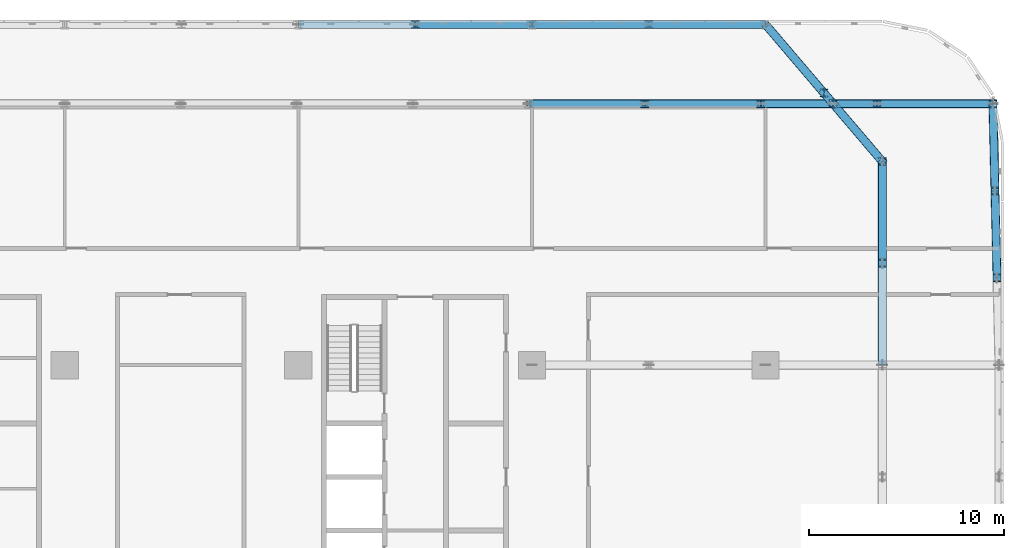
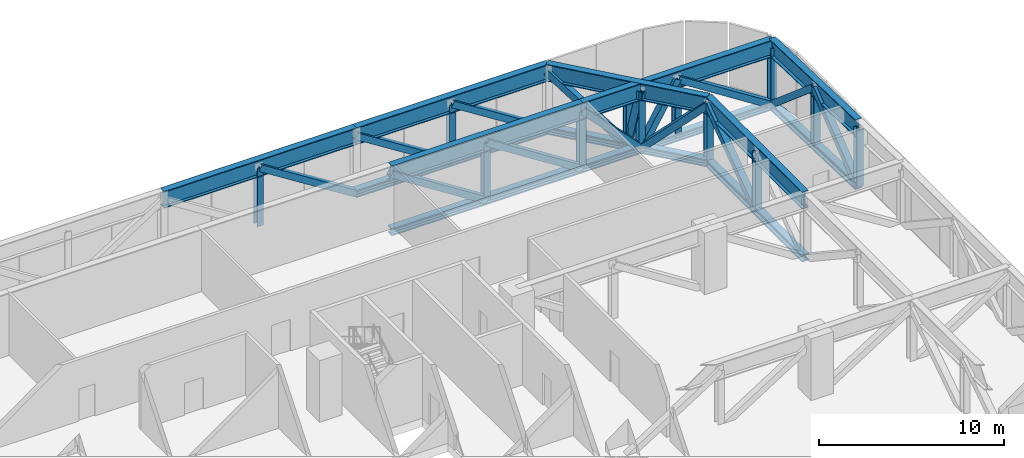
# One storey, part 7 of 26: 39 members.
"""IFC4 building model written with IfcOpenShell, lengths in metres."""

from ifc_helpers import new_model, si_unit, direction, frame, origin, origin_2d, place, context, subcontext, project, spatial, hollow_rectangle, i_section, extrude, material, material_profile, profile_set, type_object, element, save


model = new_model("IFC4")

# Units and contexts
model_context = context("Model", 3, precision=1e-05, world=origin(), true_north=direction((0.0, 1.0)))
body_context = subcontext(model_context, "Body", "Model", "MODEL_VIEW")
ifc_project = project(units=[si_unit("LENGTHUNIT", "METRE"), si_unit("AREAUNIT", "SQUARE_METRE"), si_unit("VOLUMEUNIT", "CUBIC_METRE"), si_unit("PLANEANGLEUNIT", "RADIAN"), si_unit("MASSUNIT", "GRAM", prefix="KILO")], contexts=[model_context])

# Site, building, storey
site_placement = place(None, origin())
site = spatial("IfcSite", under=ifc_project, at=site_placement, CompositionType="ELEMENT")
building_placement = place(site_placement, origin())
building = spatial("IfcBuilding", under=site, at=building_placement, Name="Mahtab Terrace Research Tower", CompositionType="ELEMENT")
storey_placement = place(building_placement, frame((0.0, 0.0, 117.60009765625)))
storey = spatial("IfcBuildingStorey", under=building, at=storey_placement, Name="L27", CompositionType="ELEMENT", Elevation=117.60009765625)

# Members
ifc_material_1 = material(Name="Steel ASTM A500 Gr C", Category="steel")
ifc_material_profile_1 = material_profile(ifc_material_1, hollow_rectangle(XDim=0.406494140625, YDim=0.406494140625, WallThickness=0.015869140625, at=origin_2d()), Name="HSS16X16X5/8")
ifc_profile_set_1 = profile_set([ifc_material_profile_1], Name="Steel ASTM A500 Gr C")
member_type_1 = type_object("IfcMemberType", Name="HSS 16x16x5/8 brace TD161658", PredefinedType="BRACE", material=ifc_profile_set_1)
member_1_placement = place(storey_placement, frame((35.801025390625, 24.927001953125, -0.308837890625), z_axis=(-0.842548339198, 0.0, 0.538620734947), x_axis=(0.0, -1.0, 0.0)))
element("IfcMember", 1, at=member_1_placement, inside=storey, type_object=member_type_1, Name="Transfer truss T3 diagonal 060", PredefinedType="BRACE", context=body_context, shape_type="SweptSolid", body=[
    extrude(hollow_rectangle(XDim=0.406494140625, YDim=0.406494140625, WallThickness=0.015869140625, at=origin_2d()), origin(), (0.0, 0.0, 1.0), 7.07373046875),
])
member_2_placement = place(storey_placement, frame((30.0, 29.0, -0.308837890625), z_axis=(-0.844178766056, 0.0, 0.536061760379), x_axis=(0.0, -1.0, 0.0)))
element("IfcMember", 2, at=member_2_placement, inside=storey, type_object=member_type_1, Name="Transfer truss T3 diagonal 065", PredefinedType="BRACE", context=body_context, shape_type="SweptSolid", body=[
    extrude(hollow_rectangle(XDim=0.406494140625, YDim=0.406494140625, WallThickness=0.015869140625, at=origin_2d()), origin(), (0.0, 0.0, 1.0), 7.107421875),
])
member_3_placement = place(storey_placement, frame((41.760986328125, 24.927001953125, -0.308837890625), z_axis=(-0.842548339198, 0.0, 0.538620734947), x_axis=(0.0, -1.0, 0.0)))
element("IfcMember", 3, at=member_3_placement, inside=storey, type_object=member_type_1, Name="Transfer truss T3 diagonal 066", PredefinedType="BRACE", context=body_context, shape_type="SweptSolid", body=[
    extrude(hollow_rectangle(XDim=0.406494140625, YDim=0.406494140625, WallThickness=0.015869140625, at=origin_2d()), origin(), (0.0, 0.0, 1.0), 7.07373046875),
])
member_4_placement = place(storey_placement, frame((36.0, 29.0, -0.308837890625), z_axis=(-0.844178766056, 0.0, 0.536061760379), x_axis=(0.0, -1.0, 0.0)))
element("IfcMember", 4, at=member_4_placement, inside=storey, type_object=member_type_1, Name="Transfer truss T3 diagonal 071", PredefinedType="BRACE", context=body_context, shape_type="SweptSolid", body=[
    extrude(hollow_rectangle(XDim=0.406494140625, YDim=0.406494140625, WallThickness=0.015869140625, at=origin_2d()), origin(), (0.0, 0.0, 1.0), 7.107421875),
])
member_5_placement = place(storey_placement, frame((45.471923828125, 24.927001953125, -0.308837890625), z_axis=(-0.697727051178, 0.0, 0.71636370794), x_axis=(0.0, -1.0, 0.0)))
element("IfcMember", 5, at=member_5_placement, inside=storey, type_object=member_type_1, Name="Transfer truss T3 diagonal 072", PredefinedType="BRACE", context=body_context, shape_type="SweptSolid", body=[
    extrude(hollow_rectangle(XDim=0.406494140625, YDim=0.406494140625, WallThickness=0.015869140625, at=origin_2d()), origin(), (0.0, 0.0, 1.0), 5.318603515625),
])
member_6_placement = place(storey_placement, frame((42.0, 29.0, -0.308837890625), z_axis=(-0.844178766056, 0.0, 0.536061760379), x_axis=(0.0, -1.0, 0.0)))
element("IfcMember", 6, at=member_6_placement, inside=storey, type_object=member_type_1, Name="Transfer truss T3 diagonal 077", PredefinedType="BRACE", context=body_context, shape_type="SweptSolid", body=[
    extrude(hollow_rectangle(XDim=0.406494140625, YDim=0.406494140625, WallThickness=0.015869140625, at=origin_2d()), origin(), (0.0, 0.0, 1.0), 7.107421875),
])
member_7_placement = place(storey_placement, frame((45.0, 25.48095703125, -0.308837890625), z_axis=(-0.500694430808, 0.587321738742, 0.635891706314), x_axis=(-0.760997998974, -0.648754225849, 0.0)))
element("IfcMember", 7, at=member_7_placement, inside=storey, type_object=member_type_1, Name="Transfer truss T3 diagonal 079", PredefinedType="BRACE", context=body_context, shape_type="SweptSolid", body=[
    extrude(hollow_rectangle(XDim=0.406494140625, YDim=0.406494140625, WallThickness=0.015869140625, at=origin_2d()), origin(), (0.0, 0.0, 1.0), 5.99169921875),
])
member_8_placement = place(storey_placement, frame((45.0, 25.48095703125, -0.308837890625), z_axis=(0.121663295475, -0.142811183359, 0.982243864039), x_axis=(0.761218695164, 0.648495256832, 0.0)))
element("IfcMember", 8, at=member_8_placement, inside=storey, type_object=member_type_1, Name="Transfer truss T3 diagonal 080", PredefinedType="BRACE", context=body_context, shape_type="SweptSolid", body=[
    extrude(hollow_rectangle(XDim=0.406494140625, YDim=0.406494140625, WallThickness=0.015869140625, at=origin_2d()), origin(), (0.0, 0.0, 1.0), 3.87890625),
])
member_9_placement = place(storey_placement, frame((45.471923828125, 24.927001953125, -0.308837890625), z_axis=(0.508495073111, 0.0, 0.861064899193), x_axis=(0.0, 1.0, 0.0)))
element("IfcMember", 9, at=member_9_placement, inside=storey, type_object=member_type_1, Name="Transfer truss T3 diagonal 081", PredefinedType="BRACE", context=body_context, shape_type="SweptSolid", body=[
    extrude(hollow_rectangle(XDim=0.406494140625, YDim=0.406494140625, WallThickness=0.015869140625, at=origin_2d()), origin(), (0.0, 0.0, 1.0), 4.4248046875),
])
member_10_placement = place(storey_placement, frame((53.681884765625, 24.927001953125, -0.308837890625), z_axis=(-0.842548339198, 0.0, 0.538620734947), x_axis=(0.0, -1.0, 0.0)))
element("IfcMember", 10, at=member_10_placement, inside=storey, type_object=member_type_1, Name="Transfer truss T3 diagonal 082", PredefinedType="BRACE", context=body_context, shape_type="SweptSolid", body=[
    extrude(hollow_rectangle(XDim=0.406494140625, YDim=0.406494140625, WallThickness=0.015869140625, at=origin_2d()), origin(), (0.0, 0.0, 1.0), 7.07373046875),
])
member_11_placement = place(storey_placement, frame((48.0, 16.73095703125, -0.308837890625), z_axis=(0.0, 0.808314978621, 0.588750282664), x_axis=(-1.0, 0.0, 0.0)))
element("IfcMember", 11, at=member_11_placement, inside=storey, type_object=member_type_1, Name="Transfer truss T3 diagonal 091", PredefinedType="BRACE", context=body_context, shape_type="SweptSolid", body=[
    extrude(hollow_rectangle(XDim=0.406494140625, YDim=0.406494140625, WallThickness=0.015869140625, at=origin_2d()), origin(), (0.0, 0.0, 1.0), 6.471435546875),
])
member_12_placement = place(storey_placement, frame((45.471923828125, 24.927001953125, -0.308837890625), z_axis=(0.463890913132, -0.544080650892, 0.699129076808), x_axis=(0.760956771644, 0.648802582986, 0.0)))
element("IfcMember", 12, at=member_12_placement, inside=storey, type_object=member_type_1, Name="Transfer truss T3 diagonal 092", PredefinedType="BRACE", context=body_context, shape_type="SweptSolid", body=[
    extrude(hollow_rectangle(XDim=0.406494140625, YDim=0.406494140625, WallThickness=0.015869140625, at=origin_2d()), origin(), (0.0, 0.0, 1.0), 5.44970703125),
])
member_13_placement = place(storey_placement, frame((53.681884765625, 24.927001953125, -0.308837890625), z_axis=(0.018064385025, -0.761361919646, 0.648075385513), x_axis=(0.999718647519, 0.023719734464, 0.0)))
element("IfcMember", 13, at=member_13_placement, inside=storey, type_object=member_type_1, Name="Transfer truss T3 diagonal 093", PredefinedType="BRACE", context=body_context, shape_type="SweptSolid", body=[
    extrude(hollow_rectangle(XDim=0.406494140625, YDim=0.406494140625, WallThickness=0.015869140625, at=origin_2d()), origin(), (0.0, 0.0, 1.0), 5.879150390625),
])
member_14_placement = place(storey_placement, frame((53.89404296875, 15.97607421875, -0.308837890625), z_axis=(-0.018025720674, 0.761275194066, 0.648178333712), x_axis=(-0.999719786311, -0.023671688977, 0.0)))
element("IfcMember", 14, at=member_14_placement, inside=storey, type_object=member_type_1, Name="Transfer truss T3 diagonal 094", PredefinedType="BRACE", context=body_context, shape_type="SweptSolid", body=[
    extrude(hollow_rectangle(XDim=0.406494140625, YDim=0.406494140625, WallThickness=0.015869140625, at=origin_2d()), origin(), (0.0, 0.0, 1.0), 5.878173828125),
])
ifc_material_2 = material(Name="Steel ASTM A992 Gr 50", Category="steel")
ifc_material_profile_2 = material_profile(ifc_material_2, i_section(OverallWidth=0.398681640625, OverallDepth=0.393798828125, WebThickness=0.022705078125, FlangeThickness=0.03662109375, at=origin_2d()), Name="W14X193")
ifc_profile_set_2 = profile_set([ifc_material_profile_2], Name="Steel ASTM A992 Gr 50")
member_type_2 = type_object("IfcMemberType", Name="W14x193 post TP14193", PredefinedType="POST", material=ifc_profile_set_2)
for number, where, z_axis, x_axis, name in (
    (15, (24.0, 29.0, -0.308837890625), (0.0, 0.0, 1.0), (1.0, 0.0, 0.0), "Transfer truss T3 post 057"),
    (16, (35.800048828125, 24.929931640625, -0.308837890625), (0.0, 0.0, 1.0), (1.0, 0.0, 0.0), "Transfer truss T3 post 064"),
    (17, (36.0, 29.0, -0.308837890625), (0.0, 0.0, 1.0), (1.0, 0.0, 0.0), "Transfer truss T3 post 069"),
    (18, (41.760009765625, 24.929931640625, -0.308837890625), (0.0, 0.0, 1.0), (1.0, 0.0, 0.0), "Transfer truss T3 post 070"),
    (19, (45.0, 25.47998046875, -0.308837890625), (0.0, 0.0, 1.0), (1.0, 0.0, 0.0), "Transfer truss T3 post 077"),
    (20, (45.469970703125, 24.929931640625, -0.308837890625), (0.0, 0.0, 1.0), (1.0, 0.0, 0.0), "Transfer truss T3 post 078"),
    (21, (47.719970703125, 24.929931640625, -0.308837890625), (0.0, 0.0, 1.0), (1.0, 0.0, 0.0), "Transfer truss T3 post 079"),
    (22, (48.0, 16.72998046875, -0.308837890625), (0.0, 0.0, 1.0), (1.0, 0.0, 0.0), "Transfer truss T3 post 085"),
    (23, (48.0, 21.9599609375, -0.308837890625), (0.0, 0.0, 1.0), (1.0, 0.0, 0.0), "Transfer truss T3 post 086"),
    (24, (53.679931640625, 24.929931640625, -0.308837890625), (0.0, 0.0, 1.0), (1.0, 0.0, 0.0), "Transfer truss T3 post 087"),
    (25, (53.7900390625, 20.449951171875, -0.308837890625), (0.0, 0.0, 1.0), (1.0, 0.0, 0.0), "Transfer truss T3 post 088"),
    (26, (53.889892578125, 15.97998046875, -0.308837890625), (0.0, 0.0, 1.0), (1.0, 0.0, 0.0), "Transfer truss T3 post 089"),
):
    element("IfcMember", number, at=place(storey_placement, frame(where, z_axis=z_axis, x_axis=x_axis)), inside=storey, type_object=member_type_2, Name=name, PredefinedType="POST", context=body_context, shape_type="SweptSolid", body=[
        extrude(i_section(OverallWidth=0.398681640625, OverallDepth=0.393798828125, WebThickness=0.022705078125, FlangeThickness=0.03662109375, at=origin_2d()), origin(), (0.0, 0.0, 1.0), 3.81005859375),
    ])
ifc_material_profile_3 = material_profile(ifc_material_2, i_section(OverallWidth=0.4267578125, OverallDepth=0.482666015625, WebThickness=0.05126953125, FlangeThickness=0.08154296875, at=origin_2d()), Name="W14X455")
ifc_profile_set_3 = profile_set([ifc_material_profile_3], Name="Steel ASTM A992 Gr 50")
member_type_3 = type_object("IfcMemberType", Name="W14x455 chord TC14455", PredefinedType="CHORD", material=ifc_profile_set_3)
member_15_placement = place(storey_placement, frame((29.841064453125, 24.927001953125, -0.308837890625), z_axis=(1.0, 0.0, 0.0), x_axis=(0.0, 1.0, 0.0)))
element("IfcMember", 27, at=member_15_placement, inside=storey, type_object=member_type_3, Name="Transfer truss T3 bottom chord 028", PredefinedType="CHORD", context=body_context, shape_type="SweptSolid", body=[
    extrude(i_section(OverallWidth=0.4267578125, OverallDepth=0.482666015625, WebThickness=0.05126953125, FlangeThickness=0.08154296875, at=origin_2d()), origin(), (0.0, 0.0, 1.0), 11.919921875),
])
member_16_placement = place(storey_placement, frame((41.760986328125, 24.927001953125, -0.308837890625), z_axis=(1.0, 0.0, 0.0), x_axis=(0.0, 1.0, 0.0)))
element("IfcMember", 28, at=member_16_placement, inside=storey, type_object=member_type_3, Name="Transfer truss T3 bottom chord 029", PredefinedType="CHORD", context=body_context, shape_type="SweptSolid", body=[
    extrude(i_section(OverallWidth=0.4267578125, OverallDepth=0.482666015625, WebThickness=0.05126953125, FlangeThickness=0.08154296875, at=origin_2d()), origin(), (0.0, 0.0, 1.0), 11.9208984375),
])
member_17_placement = place(storey_placement, frame((42.0, 29.0, -0.308837890625), z_axis=(-1.0, 0.0, 0.0), x_axis=(0.0, -1.0, 0.0)))
element("IfcMember", 29, at=member_17_placement, inside=storey, type_object=member_type_3, Name="Transfer truss T3 bottom chord 030", PredefinedType="CHORD", context=body_context, shape_type="SweptSolid", body=[
    extrude(i_section(OverallWidth=0.4267578125, OverallDepth=0.482666015625, WebThickness=0.05126953125, FlangeThickness=0.08154296875, at=origin_2d()), origin(), (0.0, 0.0, 1.0), 12.0),
])
member_18_placement = place(storey_placement, frame((48.0, 21.9619140625, -0.308837890625), z_axis=(-0.648754225849, 0.760997998974, 0.0), x_axis=(-0.760997998974, -0.648754225849, 0.0)))
element("IfcMember", 30, at=member_18_placement, inside=storey, type_object=member_type_3, Name="Transfer truss T3 bottom chord 047", PredefinedType="CHORD", context=body_context, shape_type="SweptSolid", body=[
    extrude(i_section(OverallWidth=0.4267578125, OverallDepth=0.482666015625, WebThickness=0.05126953125, FlangeThickness=0.08154296875, at=origin_2d()), origin(), (0.0, 0.0, 1.0), 9.24853515625),
])
member_19_placement = place(storey_placement, frame((48.0, 11.5, -0.308837890625), z_axis=(0.0, 1.0, 0.0), x_axis=(-1.0, 0.0, 0.0)))
element("IfcMember", 31, at=member_19_placement, inside=storey, type_object=member_type_3, Name="Transfer truss T3 bottom chord 050", PredefinedType="CHORD", context=body_context, shape_type="SweptSolid", body=[
    extrude(i_section(OverallWidth=0.4267578125, OverallDepth=0.482666015625, WebThickness=0.05126953125, FlangeThickness=0.08154296875, at=origin_2d()), origin(), (0.0, 0.0, 1.0), 10.4619140625),
])
member_20_placement = place(storey_placement, frame((53.681884765625, 24.927001953125, -0.308837890625), z_axis=(0.023695715017, -0.999719217125, 0.0), x_axis=(0.999719217125, 0.023695715017, 0.0)))
element("IfcMember", 32, at=member_20_placement, inside=storey, type_object=member_type_3, Name="Transfer truss T3 bottom chord 051", PredefinedType="CHORD", context=body_context, shape_type="SweptSolid", body=[
    extrude(i_section(OverallWidth=0.4267578125, OverallDepth=0.482666015625, WebThickness=0.05126953125, FlangeThickness=0.08154296875, at=origin_2d()), origin(), (0.0, 0.0, 1.0), 8.953369140625),
])
ifc_material_profile_4 = material_profile(ifc_material_2, i_section(OverallWidth=0.40380859375, OverallDepth=1.11767578125, WebThickness=0.026123046875, FlangeThickness=0.044921875, at=origin_2d()), Name="W44X335")
ifc_profile_set_4 = profile_set([ifc_material_profile_4], Name="Steel ASTM A992 Gr 50")
member_type_4 = type_object("IfcMemberType", Name="W44x335 chord TT44335", PredefinedType="CHORD", material=ifc_profile_set_4)
member_21_placement = place(storey_placement, frame((29.841064453125, 24.927001953125, 3.501220703125), z_axis=(1.0, 0.0, 0.0), x_axis=(0.0, 1.0, 0.0)))
element("IfcMember", 33, at=member_21_placement, inside=storey, type_object=member_type_4, Name="Transfer truss T3 top chord 028", PredefinedType="CHORD", context=body_context, shape_type="SweptSolid", body=[
    extrude(i_section(OverallWidth=0.40380859375, OverallDepth=1.11767578125, WebThickness=0.026123046875, FlangeThickness=0.044921875, at=origin_2d()), origin(), (0.0, 0.0, 1.0), 11.919921875),
])
member_22_placement = place(storey_placement, frame((41.760986328125, 24.927001953125, 3.501220703125), z_axis=(1.0, 0.0, 0.0), x_axis=(0.0, 1.0, 0.0)))
element("IfcMember", 34, at=member_22_placement, inside=storey, type_object=member_type_4, Name="Transfer truss T3 top chord 029", PredefinedType="CHORD", context=body_context, shape_type="SweptSolid", body=[
    extrude(i_section(OverallWidth=0.40380859375, OverallDepth=1.11767578125, WebThickness=0.026123046875, FlangeThickness=0.044921875, at=origin_2d()), origin(), (0.0, 0.0, 1.0), 11.9208984375),
])
for number, where, z_axis, x_axis, name in (
    (35, (42.0, 29.0, 3.501220703125), (-1.0, 0.0, 0.0), (0.0, -1.0, 0.0), "Transfer truss T3 top chord 030"),
    (36, (30.0, 29.0, 3.501220703125), (-1.0, 0.0, 0.0), (0.0, -1.0, 0.0), "Transfer truss T3 top chord 031"),
):
    element("IfcMember", number, at=place(storey_placement, frame(where, z_axis=z_axis, x_axis=x_axis)), inside=storey, type_object=member_type_4, Name=name, PredefinedType="CHORD", context=body_context, shape_type="SweptSolid", body=[
        extrude(i_section(OverallWidth=0.40380859375, OverallDepth=1.11767578125, WebThickness=0.026123046875, FlangeThickness=0.044921875, at=origin_2d()), origin(), (0.0, 0.0, 1.0), 12.0),
    ])
member_23_placement = place(storey_placement, frame((48.0, 21.9619140625, 3.501220703125), z_axis=(-0.648754225849, 0.760997998974, 0.0), x_axis=(-0.760997998974, -0.648754225849, 0.0)))
element("IfcMember", 37, at=member_23_placement, inside=storey, type_object=member_type_4, Name="Transfer truss T3 top chord 047", PredefinedType="CHORD", context=body_context, shape_type="SweptSolid", body=[
    extrude(i_section(OverallWidth=0.40380859375, OverallDepth=1.11767578125, WebThickness=0.026123046875, FlangeThickness=0.044921875, at=origin_2d()), origin(), (0.0, 0.0, 1.0), 9.24853515625),
])
member_24_placement = place(storey_placement, frame((48.0, 11.5, 3.501220703125), z_axis=(0.0, 1.0, 0.0), x_axis=(-1.0, 0.0, 0.0)))
element("IfcMember", 38, at=member_24_placement, inside=storey, type_object=member_type_4, Name="Transfer truss T3 top chord 050", PredefinedType="CHORD", context=body_context, shape_type="SweptSolid", body=[
    extrude(i_section(OverallWidth=0.40380859375, OverallDepth=1.11767578125, WebThickness=0.026123046875, FlangeThickness=0.044921875, at=origin_2d()), origin(), (0.0, 0.0, 1.0), 10.4619140625),
])
member_25_placement = place(storey_placement, frame((53.681884765625, 24.927001953125, 3.501220703125), z_axis=(0.023695715017, -0.999719217125, 0.0), x_axis=(0.999719217125, 0.023695715017, 0.0)))
element("IfcMember", 39, at=member_25_placement, inside=storey, type_object=member_type_4, Name="Transfer truss T3 top chord 051", PredefinedType="CHORD", context=body_context, shape_type="SweptSolid", body=[
    extrude(i_section(OverallWidth=0.40380859375, OverallDepth=1.11767578125, WebThickness=0.026123046875, FlangeThickness=0.044921875, at=origin_2d()), origin(), (0.0, 0.0, 1.0), 8.953369140625),
])

save(model, "model.ifc")
